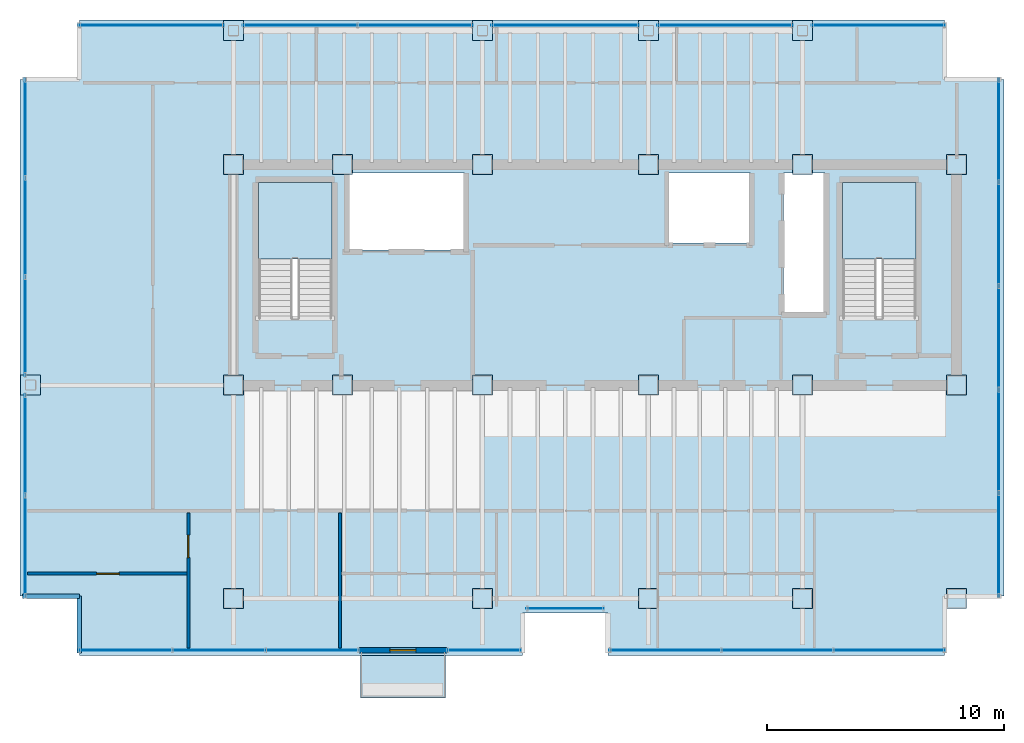
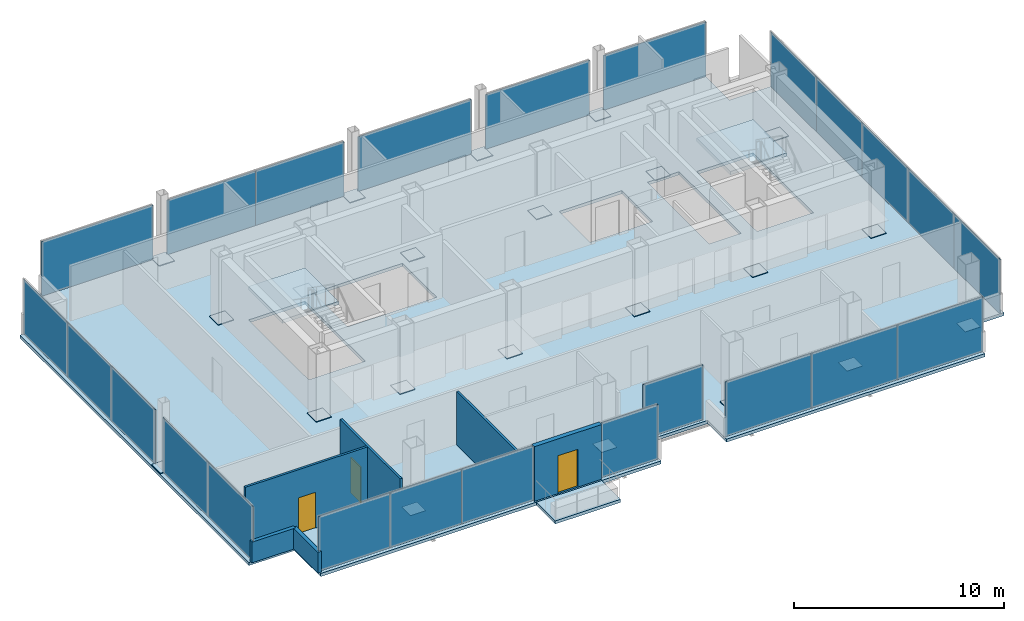
# One storey, part 13 of 16: 46 plates, 6 walls, 4 slabs, 3 doors, 8 openings, 14 elements without a shape of their own.
"""IFC4 building model written with IfcOpenShell, lengths in metres."""

from ifc_helpers import new_model, si_unit, direction, frame, frame_2d, origin, origin_2d, place, context, subcontext, project, spatial, polyline, rectangle, outline, extrude, material, layer, layer_set, type_object, element, fill, aggregate, save


model = new_model("IFC4")

# Units and contexts
model_context = context("Model", 3, precision=1e-05, world=origin(), true_north=direction((0.0, 1.0)))
body_context = subcontext(model_context, "Body", "Model", "MODEL_VIEW")
ifc_project = project(units=[si_unit("LENGTHUNIT", "METRE"), si_unit("AREAUNIT", "SQUARE_METRE"), si_unit("VOLUMEUNIT", "CUBIC_METRE"), si_unit("PLANEANGLEUNIT", "RADIAN"), si_unit("MASSUNIT", "GRAM", prefix="KILO")], contexts=[model_context])

# Site, building, storey
site_placement = place(None, origin())
site = spatial("IfcSite", under=ifc_project, at=site_placement, CompositionType="ELEMENT")
building_placement = place(site_placement, origin())
building = spatial("IfcBuilding", under=site, at=building_placement, Name="Noeulbin Bourse Tower", CompositionType="ELEMENT")
storey_placement = place(building_placement, frame((0.0, 0.0, 269.60009765625)))
storey = spatial("IfcBuildingStorey", under=building, at=storey_placement, Name="L67", CompositionType="ELEMENT", Elevation=269.60009765625)

# Curtain wall, plate
ifc_material_1 = material(Name="High-Selectivity Low-Iron Glazing", Category="glass")
curtain_wall_type = type_object("IfcCurtainWallType", Name="CW-SYS-4", PredefinedType="NOTDEFINED", material=ifc_material_1)
curtain_wall_1_placement = place(storey_placement, origin())
curtain_wall_1 = element("IfcCurtainWall", 1, at=curtain_wall_1_placement, inside=storey, type_object=curtain_wall_type, Name="Unitised Curtain Wall CW-L67-SREC", PredefinedType="NOTDEFINED")
ifc_layer_1 = layer(ifc_material_1, 0.035888671875)
ifc_layer_set_1 = layer_set([ifc_layer_1], Name="High-Selectivity Low-Iron Glazing")
plate_type_1 = type_object("IfcPlateType", Name="CW-SYS-4-PNL", PredefinedType="CURTAIN_PANEL", material=ifc_layer_set_1)
plate_1_placement = place(storey_placement, frame((27.5, 19.580078125, 0.0), z_axis=(0.0, 0.0, 1.0), x_axis=(1.0, 0.0, 0.0)))
plate_1 = element("IfcPlate", 2, at=plate_1_placement, type_object=plate_type_1, Name="Glazed Curtain Panel CW-L67-SREC-P00", PredefinedType="CURTAIN_PANEL", context=body_context, shape_type="SweptSolid", body=[
    extrude(rectangle(XDim=3.300048828125, YDim=0.035888671875, at=origin_2d()), origin(), (0.0, 0.0, 1.0), 3.179931640625),
])
aggregate(curtain_wall_1, [plate_1])

# Curtain wall, plates
curtain_wall_2_placement = place(storey_placement, origin())
curtain_wall_2 = element("IfcCurtainWall", 3, at=curtain_wall_2_placement, inside=storey, type_object=curtain_wall_type, Name="Unitised Curtain Wall CW-L67-S1", PredefinedType="NOTDEFINED")
plate_2_placement = place(storey_placement, frame((8.949951171875, 17.820068359375, 0.0), z_axis=(0.0, 0.0, 1.0), x_axis=(1.0, 0.0, 0.0)))
plate_2 = element("IfcPlate", 4, at=plate_2_placement, type_object=plate_type_1, Name="Glazed Curtain Panel CW-L67-S1-P00", PredefinedType="CURTAIN_PANEL", context=body_context, shape_type="SweptSolid", body=[
    extrude(rectangle(XDim=3.93994140625, YDim=0.035888671875, at=origin_2d()), origin(), (0.0, 0.0, 1.0), 3.179931640625),
])
plate_3_placement = place(storey_placement, frame((12.889892578125, 17.820068359375, 0.0), z_axis=(0.0, 0.0, 1.0), x_axis=(1.0, 0.0, 0.0)))
plate_3 = element("IfcPlate", 5, at=plate_3_placement, type_object=plate_type_1, Name="Glazed Curtain Panel CW-L67-S1-P01", PredefinedType="CURTAIN_PANEL", context=body_context, shape_type="SweptSolid", body=[
    extrude(rectangle(XDim=3.93994140625, YDim=0.035888671875, at=origin_2d()), origin(), (0.0, 0.0, 1.0), 3.179931640625),
])
plate_4_placement = place(storey_placement, frame((16.830078125, 17.820068359375, 0.0), z_axis=(0.0, 0.0, 1.0), x_axis=(1.0, 0.0, 0.0)))
plate_4 = element("IfcPlate", 6, at=plate_4_placement, type_object=plate_type_1, Name="Glazed Curtain Panel CW-L67-S1-P02", PredefinedType="CURTAIN_PANEL", context=body_context, shape_type="SweptSolid", body=[
    extrude(rectangle(XDim=3.93994140625, YDim=0.035888671875, at=origin_2d()), origin(), (0.0, 0.0, 1.0), 3.179931640625),
])
aggregate(curtain_wall_2, [plate_2, plate_3, plate_4])

# Curtain wall, plate
curtain_wall_3_placement = place(storey_placement, origin())
curtain_wall_3 = element("IfcCurtainWall", 7, at=curtain_wall_3_placement, inside=storey, type_object=curtain_wall_type, Name="Unitised Curtain Wall CW-L67-S2", PredefinedType="NOTDEFINED")
plate_5_placement = place(storey_placement, frame((24.074951171875, 17.820068359375, 0.0), z_axis=(0.0, 0.0, 1.0), x_axis=(1.0, 0.0, 0.0)))
plate_5 = element("IfcPlate", 8, at=plate_5_placement, type_object=plate_type_1, Name="Glazed Curtain Panel CW-L67-S2-P00", PredefinedType="CURTAIN_PANEL", context=body_context, shape_type="SweptSolid", body=[
    extrude(rectangle(XDim=3.14990234375, YDim=0.035888671875, at=origin_2d()), origin(), (0.0, 0.0, 1.0), 3.179931640625),
])
aggregate(curtain_wall_3, [plate_5])

# Curtain wall, plates
curtain_wall_4_placement = place(storey_placement, origin())
curtain_wall_4 = element("IfcCurtainWall", 9, at=curtain_wall_4_placement, inside=storey, type_object=curtain_wall_type, Name="Unitised Curtain Wall CW-L67-S3", PredefinedType="NOTDEFINED")
plate_6_placement = place(storey_placement, frame((31.711669921875, 17.820068359375, 0.0), z_axis=(0.0, 0.0, 1.0), x_axis=(1.0, 0.0, 0.0)))
plate_6 = element("IfcPlate", 10, at=plate_6_placement, type_object=plate_type_1, Name="Glazed Curtain Panel CW-L67-S3-P00", PredefinedType="CURTAIN_PANEL", context=body_context, shape_type="SweptSolid", body=[
    extrude(rectangle(XDim=4.723388671875, YDim=0.035888671875, at=origin_2d()), origin(), (0.0, 0.0, 1.0), 3.179931640625),
])
plate_7_placement = place(storey_placement, frame((36.43505859375, 17.820068359375, 0.0), z_axis=(0.0, 0.0, 1.0), x_axis=(1.0, 0.0, 0.0)))
plate_7 = element("IfcPlate", 11, at=plate_7_placement, type_object=plate_type_1, Name="Glazed Curtain Panel CW-L67-S3-P01", PredefinedType="CURTAIN_PANEL", context=body_context, shape_type="SweptSolid", body=[
    extrude(rectangle(XDim=4.723388671875, YDim=0.035888671875, at=origin_2d()), origin(), (0.0, 0.0, 1.0), 3.179931640625),
])
plate_8_placement = place(storey_placement, frame((41.158203125, 17.820068359375, 0.0), z_axis=(0.0, 0.0, 1.0), x_axis=(1.0, 0.0, 0.0)))
plate_8 = element("IfcPlate", 12, at=plate_8_placement, type_object=plate_type_1, Name="Glazed Curtain Panel CW-L67-S3-P02", PredefinedType="CURTAIN_PANEL", context=body_context, shape_type="SweptSolid", body=[
    extrude(rectangle(XDim=4.723388671875, YDim=0.035888671875, at=origin_2d()), origin(), (0.0, 0.0, 1.0), 3.179931640625),
])
aggregate(curtain_wall_4, [plate_6, plate_7, plate_8])

# Curtain wall, plate
curtain_wall_5_placement = place(storey_placement, origin())
curtain_wall_5 = element("IfcCurtainWall", 13, at=curtain_wall_5_placement, inside=storey, type_object=curtain_wall_type, Name="Unitised Curtain Wall CW-L67-N-S1", PredefinedType="NOTDEFINED")
plate_9_placement = place(storey_placement, frame((10.047607421875, 44.179931640625, 0.0), z_axis=(0.0, 0.0, 1.0), x_axis=(1.0, 0.0, 0.0)))
plate_9 = element("IfcPlate", 14, at=plate_9_placement, type_object=plate_type_1, Name="Glazed Curtain Panel CW-L67-N-S1-P00", PredefinedType="CURTAIN_PANEL", context=body_context, shape_type="SweptSolid", body=[
    extrude(rectangle(XDim=6.135009765625, YDim=0.035888671875, at=origin_2d()), origin(), (0.0, 0.0, 1.0), 3.179931640625),
])
aggregate(curtain_wall_5, [plate_9])

# Curtain wall, plates
curtain_wall_6_placement = place(storey_placement, origin())
curtain_wall_6 = element("IfcCurtainWall", 15, at=curtain_wall_6_placement, inside=storey, type_object=curtain_wall_type, Name="Unitised Curtain Wall CW-L67-N-S2", PredefinedType="NOTDEFINED")
plate_10_placement = place(storey_placement, frame((16.3173828125, 44.179931640625, 0.0), z_axis=(0.0, 0.0, 1.0), x_axis=(1.0, 0.0, 0.0)))
plate_10 = element("IfcPlate", 16, at=plate_10_placement, type_object=plate_type_1, Name="Glazed Curtain Panel CW-L67-N-S2-P00", PredefinedType="CURTAIN_PANEL", context=body_context, shape_type="SweptSolid", body=[
    extrude(rectangle(XDim=4.864990234375, YDim=0.035888671875, at=origin_2d()), origin(), (0.0, 0.0, 1.0), 3.179931640625),
])
plate_11_placement = place(storey_placement, frame((21.1826171875, 44.179931640625, 0.0), z_axis=(0.0, 0.0, 1.0), x_axis=(1.0, 0.0, 0.0)))
plate_11 = element("IfcPlate", 17, at=plate_11_placement, type_object=plate_type_1, Name="Glazed Curtain Panel CW-L67-N-S2-P01", PredefinedType="CURTAIN_PANEL", context=body_context, shape_type="SweptSolid", body=[
    extrude(rectangle(XDim=4.864990234375, YDim=0.035888671875, at=origin_2d()), origin(), (0.0, 0.0, 1.0), 3.179931640625),
])
aggregate(curtain_wall_6, [plate_10, plate_11])

# Curtain wall, plate
curtain_wall_7_placement = place(storey_placement, origin())
curtain_wall_7 = element("IfcCurtainWall", 18, at=curtain_wall_7_placement, inside=storey, type_object=curtain_wall_type, Name="Unitised Curtain Wall CW-L67-N-S3", PredefinedType="NOTDEFINED")
plate_12_placement = place(storey_placement, frame((27.5, 44.179931640625, 0.0), z_axis=(0.0, 0.0, 1.0), x_axis=(1.0, 0.0, 0.0)))
plate_12 = element("IfcPlate", 19, at=plate_12_placement, type_object=plate_type_1, Name="Glazed Curtain Panel CW-L67-N-S3-P00", PredefinedType="CURTAIN_PANEL", context=body_context, shape_type="SweptSolid", body=[
    extrude(rectangle(XDim=6.22998046875, YDim=0.035888671875, at=origin_2d()), origin(), (0.0, 0.0, 1.0), 3.179931640625),
])
aggregate(curtain_wall_7, [plate_12])

curtain_wall_8_placement = place(storey_placement, origin())
curtain_wall_8 = element("IfcCurtainWall", 20, at=curtain_wall_8_placement, inside=storey, type_object=curtain_wall_type, Name="Unitised Curtain Wall CW-L67-N-S4", PredefinedType="NOTDEFINED")
plate_13_placement = place(storey_placement, frame((34.25, 44.179931640625, 0.0), z_axis=(0.0, 0.0, 1.0), x_axis=(1.0, 0.0, 0.0)))
plate_13 = element("IfcPlate", 21, at=plate_13_placement, type_object=plate_type_1, Name="Glazed Curtain Panel CW-L67-N-S4-P00", PredefinedType="CURTAIN_PANEL", context=body_context, shape_type="SweptSolid", body=[
    extrude(rectangle(XDim=5.72998046875, YDim=0.035888671875, at=origin_2d()), origin(), (0.0, 0.0, 1.0), 3.179931640625),
])
aggregate(curtain_wall_8, [plate_13])

curtain_wall_9_placement = place(storey_placement, origin())
curtain_wall_9 = element("IfcCurtainWall", 22, at=curtain_wall_9_placement, inside=storey, type_object=curtain_wall_type, Name="Unitised Curtain Wall CW-L67-N-S5", PredefinedType="NOTDEFINED")
plate_14_placement = place(storey_placement, frame((40.702392578125, 44.179931640625, 0.0), z_axis=(0.0, 0.0, 1.0), x_axis=(1.0, 0.0, 0.0)))
plate_14 = element("IfcPlate", 23, at=plate_14_placement, type_object=plate_type_1, Name="Glazed Curtain Panel CW-L67-N-S5-P00", PredefinedType="CURTAIN_PANEL", context=body_context, shape_type="SweptSolid", body=[
    extrude(rectangle(XDim=5.635009765625, YDim=0.035888671875, at=origin_2d()), origin(), (0.0, 0.0, 1.0), 3.179931640625),
])
aggregate(curtain_wall_9, [plate_14])

# Curtain wall, plates
curtain_wall_10_placement = place(storey_placement, origin())
curtain_wall_10 = element("IfcCurtainWall", 24, at=curtain_wall_10_placement, inside=storey, type_object=curtain_wall_type, Name="Unitised Curtain Wall CW-L67-W-S1", PredefinedType="NOTDEFINED")
plate_15_placement = place(storey_placement, frame((4.719970703125, 22.213623046875, 0.0), z_axis=(0.0, 0.0, 1.0), x_axis=(0.0, 1.0, 0.0)))
plate_15 = element("IfcPlate", 25, at=plate_15_placement, type_object=plate_type_1, Name="Glazed Curtain Panel CW-L67-W-S1-P00", PredefinedType="CURTAIN_PANEL", context=body_context, shape_type="SweptSolid", body=[
    extrude(rectangle(XDim=4.267578125, YDim=0.035888671875, at=origin_2d()), origin(), (0.0, 0.0, 1.0), 3.179931640625),
])
plate_16_placement = place(storey_placement, frame((4.719970703125, 26.481201171875, 0.0), z_axis=(0.0, 0.0, 1.0), x_axis=(0.0, 1.0, 0.0)))
plate_16 = element("IfcPlate", 26, at=plate_16_placement, type_object=plate_type_1, Name="Glazed Curtain Panel CW-L67-W-S1-P01", PredefinedType="CURTAIN_PANEL", context=body_context, shape_type="SweptSolid", body=[
    extrude(rectangle(XDim=4.267578125, YDim=0.035888671875, at=origin_2d()), origin(), (0.0, 0.0, 1.0), 3.179931640625),
])
aggregate(curtain_wall_10, [plate_15, plate_16])

curtain_wall_11_placement = place(storey_placement, origin())
curtain_wall_11 = element("IfcCurtainWall", 27, at=curtain_wall_11_placement, inside=storey, type_object=curtain_wall_type, Name="Unitised Curtain Wall CW-L67-W-S2", PredefinedType="NOTDEFINED")
plate_17_placement = place(storey_placement, frame((4.719970703125, 31.47412109375, 0.0), z_axis=(0.0, 0.0, 1.0), x_axis=(0.0, 1.0, 0.0)))
plate_17 = element("IfcPlate", 28, at=plate_17_placement, type_object=plate_type_1, Name="Glazed Curtain Panel CW-L67-W-S2-P00", PredefinedType="CURTAIN_PANEL", context=body_context, shape_type="SweptSolid", body=[
    extrude(rectangle(XDim=4.17822265625, YDim=0.035888671875, at=origin_2d()), origin(), (0.0, 0.0, 1.0), 3.179931640625),
])
plate_18_placement = place(storey_placement, frame((4.719970703125, 35.652587890625, 0.0), z_axis=(0.0, 0.0, 1.0), x_axis=(0.0, 1.0, 0.0)))
plate_18 = element("IfcPlate", 29, at=plate_18_placement, type_object=plate_type_1, Name="Glazed Curtain Panel CW-L67-W-S2-P01", PredefinedType="CURTAIN_PANEL", context=body_context, shape_type="SweptSolid", body=[
    extrude(rectangle(XDim=4.17822265625, YDim=0.035888671875, at=origin_2d()), origin(), (0.0, 0.0, 1.0), 3.179931640625),
])
plate_19_placement = place(storey_placement, frame((4.719970703125, 39.830810546875, 0.0), z_axis=(0.0, 0.0, 1.0), x_axis=(0.0, 1.0, 0.0)))
plate_19 = element("IfcPlate", 30, at=plate_19_placement, type_object=plate_type_1, Name="Glazed Curtain Panel CW-L67-W-S2-P02", PredefinedType="CURTAIN_PANEL", context=body_context, shape_type="SweptSolid", body=[
    extrude(rectangle(XDim=4.17822265625, YDim=0.035888671875, at=origin_2d()), origin(), (0.0, 0.0, 1.0), 3.179931640625),
])
aggregate(curtain_wall_11, [plate_17, plate_18, plate_19])

curtain_wall_12_placement = place(storey_placement, origin())
curtain_wall_12 = element("IfcCurtainWall", 31, at=curtain_wall_12_placement, inside=storey, type_object=curtain_wall_type, Name="Unitised Curtain Wall CW-L67-E", PredefinedType="NOTDEFINED")
plate_20_placement = place(storey_placement, frame((45.780029296875, 22.263916015625, 0.0), z_axis=(0.0, 0.0, 1.0), x_axis=(0.0, 1.0, 0.0)))
plate_20 = element("IfcPlate", 32, at=plate_20_placement, type_object=plate_type_1, Name="Glazed Curtain Panel CW-L67-E-P00", PredefinedType="CURTAIN_PANEL", context=body_context, shape_type="SweptSolid", body=[
    extrude(rectangle(XDim=4.367919921875, YDim=0.035888671875, at=origin_2d()), origin(), (0.0, 0.0, 1.0), 3.179931640625),
])
plate_21_placement = place(storey_placement, frame((45.780029296875, 26.632080078125, 0.0), z_axis=(0.0, 0.0, 1.0), x_axis=(0.0, 1.0, 0.0)))
plate_21 = element("IfcPlate", 33, at=plate_21_placement, type_object=plate_type_1, Name="Glazed Curtain Panel CW-L67-E-P01", PredefinedType="CURTAIN_PANEL", context=body_context, shape_type="SweptSolid", body=[
    extrude(rectangle(XDim=4.367919921875, YDim=0.035888671875, at=origin_2d()), origin(), (0.0, 0.0, 1.0), 3.179931640625),
])
plate_22_placement = place(storey_placement, frame((45.780029296875, 31.0, 0.0), z_axis=(0.0, 0.0, 1.0), x_axis=(0.0, 1.0, 0.0)))
plate_22 = element("IfcPlate", 34, at=plate_22_placement, type_object=plate_type_1, Name="Glazed Curtain Panel CW-L67-E-P02", PredefinedType="CURTAIN_PANEL", context=body_context, shape_type="SweptSolid", body=[
    extrude(rectangle(XDim=4.367919921875, YDim=0.035888671875, at=origin_2d()), origin(), (0.0, 0.0, 1.0), 3.179931640625),
])
plate_23_placement = place(storey_placement, frame((45.780029296875, 35.367919921875, 0.0), z_axis=(0.0, 0.0, 1.0), x_axis=(0.0, 1.0, 0.0)))
plate_23 = element("IfcPlate", 35, at=plate_23_placement, type_object=plate_type_1, Name="Glazed Curtain Panel CW-L67-E-P03", PredefinedType="CURTAIN_PANEL", context=body_context, shape_type="SweptSolid", body=[
    extrude(rectangle(XDim=4.367919921875, YDim=0.035888671875, at=origin_2d()), origin(), (0.0, 0.0, 1.0), 3.179931640625),
])
plate_24_placement = place(storey_placement, frame((45.780029296875, 39.736083984375, 0.0), z_axis=(0.0, 0.0, 1.0), x_axis=(0.0, 1.0, 0.0)))
plate_24 = element("IfcPlate", 36, at=plate_24_placement, type_object=plate_type_1, Name="Glazed Curtain Panel CW-L67-E-P04", PredefinedType="CURTAIN_PANEL", context=body_context, shape_type="SweptSolid", body=[
    extrude(rectangle(XDim=4.367919921875, YDim=0.035888671875, at=origin_2d()), origin(), (0.0, 0.0, 1.0), 3.179931640625),
])
aggregate(curtain_wall_12, [plate_20, plate_21, plate_22, plate_23, plate_24])

# Plates
ifc_material_2 = material(Name="Steel S355", Category="steel")
ifc_layer_2 = layer(ifc_material_2, 0.030029296875)
ifc_layer_set_2 = layer_set([ifc_layer_2], Name="Steel S355")
plate_type_2 = type_object("IfcPlateType", Name="PLT-BN1", PredefinedType="USERDEFINED", material=ifc_layer_set_2)
for number, where, z_axis, x_axis, name in (
    (37, (13.5, 29.0, 0.0048828125), (0.0, 0.0, 1.0), (1.0, 0.0, 0.0), "Mega-Column Splice Plate BN1-L67-01"),
    (38, (13.5, 38.300048828125, 0.0048828125), (0.0, 0.0, 1.0), (1.0, 0.0, 0.0), "Mega-Column Splice Plate BN1-L67-02"),
    (39, (18.10009765625, 29.0, 0.0048828125), (0.0, 0.0, 1.0), (1.0, 0.0, 0.0), "Mega-Column Splice Plate BN1-L67-03"),
    (40, (18.10009765625, 38.300048828125, 0.0048828125), (0.0, 0.0, 1.0), (1.0, 0.0, 0.0), "Mega-Column Splice Plate BN1-L67-04"),
    (41, (24.0, 29.0, 0.0048828125), (0.0, 0.0, 1.0), (1.0, 0.0, 0.0), "Mega-Column Splice Plate BN1-L67-05"),
    (42, (24.0, 38.300048828125, 0.0048828125), (0.0, 0.0, 1.0), (1.0, 0.0, 0.0), "Mega-Column Splice Plate BN1-L67-06"),
    (43, (31.0, 29.0, 0.0048828125), (0.0, 0.0, 1.0), (1.0, 0.0, 0.0), "Mega-Column Splice Plate BN1-L67-07"),
    (44, (31.0, 38.300048828125, 0.0048828125), (0.0, 0.0, 1.0), (1.0, 0.0, 0.0), "Mega-Column Splice Plate BN1-L67-08"),
    (45, (37.5, 29.0, 0.0048828125), (0.0, 0.0, 1.0), (1.0, 0.0, 0.0), "Mega-Column Splice Plate BN1-L67-09"),
    (46, (37.5, 38.300048828125, 0.0048828125), (0.0, 0.0, 1.0), (1.0, 0.0, 0.0), "Mega-Column Splice Plate BN1-L67-10"),
    (47, (44.0, 29.0, 0.0048828125), (0.0, 0.0, 1.0), (1.0, 0.0, 0.0), "Mega-Column Splice Plate BN1-L67-11"),
    (48, (44.0, 38.300048828125, 0.0048828125), (0.0, 0.0, 1.0), (1.0, 0.0, 0.0), "Mega-Column Splice Plate BN1-L67-12"),
    (49, (13.5, 20.0, 0.0048828125), (0.0, 0.0, 1.0), (1.0, 0.0, 0.0), "Mega-Column Splice Plate BN1-L67-13"),
    (50, (24.0, 20.0, 0.0048828125), (0.0, 0.0, 1.0), (1.0, 0.0, 0.0), "Mega-Column Splice Plate BN1-L67-14"),
    (51, (31.0, 20.0, 0.0048828125), (0.0, 0.0, 1.0), (1.0, 0.0, 0.0), "Mega-Column Splice Plate BN1-L67-15"),
    (52, (37.5, 20.0, 0.0048828125), (0.0, 0.0, 1.0), (1.0, 0.0, 0.0), "Mega-Column Splice Plate BN1-L67-16"),
    (53, (44.0, 20.0, 0.0048828125), (0.0, 0.0, 1.0), (1.0, 0.0, 0.0), "Mega-Column Splice Plate BN1-L67-17"),
    (54, (4.949951171875, 29.0, 0.0048828125), (0.0, 0.0, 1.0), (1.0, 0.0, 0.0), "Perimeter Column Splice Plate BN1-L67-01"),
    (55, (13.5, 43.949951171875, 0.0048828125), (0.0, 0.0, 1.0), (1.0, 0.0, 0.0), "Perimeter Column Splice Plate BN1-L67-02"),
    (56, (24.0, 43.949951171875, 0.0048828125), (0.0, 0.0, 1.0), (1.0, 0.0, 0.0), "Perimeter Column Splice Plate BN1-L67-03"),
    (57, (31.0, 43.949951171875, 0.0048828125), (0.0, 0.0, 1.0), (1.0, 0.0, 0.0), "Perimeter Column Splice Plate BN1-L67-04"),
    (58, (37.5, 43.949951171875, 0.0048828125), (0.0, 0.0, 1.0), (1.0, 0.0, 0.0), "Perimeter Column Splice Plate BN1-L67-05"),
):
    element("IfcPlate", number, at=place(storey_placement, frame(where, z_axis=z_axis, x_axis=x_axis)), inside=storey, type_object=plate_type_2, Name=name, ObjectType="SPLICE PLATE", PredefinedType="USERDEFINED", context=body_context, shape_type="SweptSolid", body=[
        extrude(rectangle(XDim=0.85009765625, YDim=0.85009765625, at=origin_2d()), origin(), (0.0, 0.0, 1.0), 0.030029296875),
    ])

# Stair, slab
ifc_material_3 = material(Name="Concrete C40/50", Category="concrete")
stair_type = type_object("IfcStairType", Name="STR-CORE-1560", PredefinedType="HALF_TURN_STAIR", material=ifc_material_3)
stair_1_placement = place(storey_placement, origin())
stair_1 = element("IfcStair", 59, at=stair_1_placement, inside=storey, type_object=stair_type, Name="L67 ST-1", PredefinedType="HALF_TURN_STAIR")
ifc_layer_3 = layer(ifc_material_3, 0.199951171875)
ifc_layer_set_3 = layer_set([ifc_layer_3], Name="Concrete C40/50")
slab_type_1 = type_object("IfcSlabType", Name="SLB-LND-200", PredefinedType="LANDING", material=ifc_layer_set_3)
slab_1_placement = place(storey_placement, frame((0.0, 0.0, 1.75)))
slab_1 = element("IfcSlab", 60, at=slab_1_placement, type_object=slab_type_1, Name="ST-1 landing 1", PredefinedType="LANDING", context=body_context, shape_type="SweptSolid", body=[
    extrude(outline(polyline([(17.64990234375, 34.330078125), (17.64990234375, 37.5439453125), (14.550048828125, 37.5439453125), (14.550048828125, 34.330078125), (17.64990234375, 34.330078125)])), origin(), (0.0, 0.0, 1.0), 0.199951171875),
])
aggregate(stair_1, [slab_1])

stair_2_placement = place(storey_placement, origin())
stair_2 = element("IfcStair", 61, at=stair_2_placement, inside=storey, type_object=stair_type, Name="L67 ST-2", PredefinedType="HALF_TURN_STAIR")
slab_2_placement = place(storey_placement, frame((0.0, 0.0, 1.75)))
slab_2 = element("IfcSlab", 62, at=slab_2_placement, type_object=slab_type_1, Name="ST-2 landing 1", PredefinedType="LANDING", context=body_context, shape_type="SweptSolid", body=[
    extrude(outline(polyline([(42.280029296875, 34.330078125), (42.280029296875, 37.5439453125), (39.179931640625, 37.5439453125), (39.179931640625, 34.330078125), (42.280029296875, 34.330078125)])), origin(), (0.0, 0.0, 1.0), 0.199951171875),
])
aggregate(stair_2, [slab_2])

# Slab, openings
ifc_layer_4 = layer(ifc_material_3, 0.179931640625)
ifc_layer_set_4 = layer_set([ifc_layer_4], Name="Concrete C40/50")
slab_type_2 = type_object("IfcSlabType", Name="SLB-TYP-180", PredefinedType="FLOOR", material=ifc_layer_set_4)
slab_3_placement = place(storey_placement, frame((0.0, 0.0, -0.18017578125)))
slab_3 = element("IfcSlab", 63, at=slab_3_placement, inside=storey, type_object=slab_type_2, Name="Tower Structural Floor Slab L67", PredefinedType="FLOOR", context=body_context, shape_type="SweptSolid", body=[
    extrude(outline(polyline([(7.0, 17.60009765625), (25.699951171875, 17.60009765625), (25.699951171875, 19.39990234375), (29.300048828125, 19.39990234375), (29.300048828125, 17.60009765625), (43.5, 17.60009765625), (43.5, 20.10009765625), (46.0, 20.10009765625), (46.0, 41.89990234375), (43.5, 41.89990234375), (43.5, 44.39990234375), (7.0, 44.39990234375), (7.0, 41.89990234375), (4.5, 41.89990234375), (4.5, 20.10009765625), (7.0, 20.10009765625), (7.0, 17.60009765625)]), holes=[polyline([(17.64990234375, 31.81005859375), (17.64990234375, 37.5439453125), (14.550048828125, 37.5439453125), (14.550048828125, 31.81005859375), (17.64990234375, 31.81005859375)]), polyline([(42.280029296875, 31.81005859375), (42.280029296875, 37.5439453125), (39.179931640625, 37.5439453125), (39.179931640625, 31.81005859375), (42.280029296875, 31.81005859375)]), polyline([(18.35009765625, 34.699951171875), (23.25, 34.699951171875), (23.25, 37.949951171875), (18.35009765625, 37.949951171875), (18.35009765625, 34.699951171875)]), polyline([(36.699951171875, 32.050048828125), (38.449951171875, 32.050048828125), (38.449951171875, 37.949951171875), (36.699951171875, 37.949951171875), (36.699951171875, 32.050048828125)]), polyline([(31.85009765625, 35.0), (35.300048828125, 35.0), (35.300048828125, 37.949951171875), (31.85009765625, 37.949951171875), (31.85009765625, 35.0)])]), origin(), (0.0, 0.0, 1.0), 0.18017578125),
])
opening_1_placement = place(slab_3_placement, frame((0.0, 0.0, -0.010009765625)))
element("IfcOpeningElement", 64, at=opening_1_placement, cuts=slab_3, Name="Slab Shaft Opening SLB-L67-TWR-1", PredefinedType="OPENING", context=body_context, shape_type="SweptSolid", body=[
    extrude(outline(polyline([(17.64990234375, 31.81005859375), (17.64990234375, 37.5439453125), (14.550048828125, 37.5439453125), (14.550048828125, 31.81005859375), (17.64990234375, 31.81005859375)])), origin(), (0.0, 0.0, 1.0), 0.2001953125),
])
opening_2_placement = place(slab_3_placement, frame((0.0, 0.0, -0.010009765625)))
element("IfcOpeningElement", 65, at=opening_2_placement, cuts=slab_3, Name="Slab Shaft Opening SLB-L67-TWR-2", PredefinedType="OPENING", context=body_context, shape_type="SweptSolid", body=[
    extrude(outline(polyline([(42.280029296875, 31.81005859375), (42.280029296875, 37.5439453125), (39.179931640625, 37.5439453125), (39.179931640625, 31.81005859375), (42.280029296875, 31.81005859375)])), origin(), (0.0, 0.0, 1.0), 0.2001953125),
])
opening_3_placement = place(slab_3_placement, frame((0.0, 0.0, -0.010009765625)))
element("IfcOpeningElement", 66, at=opening_3_placement, cuts=slab_3, Name="Slab Shaft Opening SLB-L67-TWR-3", PredefinedType="OPENING", context=body_context, shape_type="SweptSolid", body=[
    extrude(outline(polyline([(18.35009765625, 34.699951171875), (23.25, 34.699951171875), (23.25, 37.949951171875), (18.35009765625, 37.949951171875), (18.35009765625, 34.699951171875)])), origin(), (0.0, 0.0, 1.0), 0.2001953125),
])
opening_4_placement = place(slab_3_placement, frame((0.0, 0.0, -0.010009765625)))
element("IfcOpeningElement", 67, at=opening_4_placement, cuts=slab_3, Name="Slab Shaft Opening SLB-L67-TWR-4", PredefinedType="OPENING", context=body_context, shape_type="SweptSolid", body=[
    extrude(outline(polyline([(36.699951171875, 32.050048828125), (38.449951171875, 32.050048828125), (38.449951171875, 37.949951171875), (36.699951171875, 37.949951171875), (36.699951171875, 32.050048828125)])), origin(), (0.0, 0.0, 1.0), 0.2001953125),
])
opening_5_placement = place(slab_3_placement, frame((0.0, 0.0, -0.010009765625)))
element("IfcOpeningElement", 68, at=opening_5_placement, cuts=slab_3, Name="Slab Shaft Opening SLB-L67-TWR-5", PredefinedType="OPENING", context=body_context, shape_type="SweptSolid", body=[
    extrude(outline(polyline([(31.85009765625, 35.0), (35.300048828125, 35.0), (35.300048828125, 37.949951171875), (31.85009765625, 37.949951171875), (31.85009765625, 35.0)])), origin(), (0.0, 0.0, 1.0), 0.2001953125),
])

# Slab
slab_4_placement = place(storey_placement, frame((0.0, 0.0, -0.18017578125)))
element("IfcSlab", 69, at=slab_4_placement, inside=storey, type_object=slab_type_2, Name="Cantilevered Tree-Balcony Slab L67", PredefinedType="FLOOR", context=body_context, shape_type="SweptSolid", body=[
    extrude(outline(polyline([(18.85009765625, 15.800048828125), (22.449951171875, 15.800048828125), (22.449951171875, 17.60009765625), (18.85009765625, 17.60009765625), (18.85009765625, 15.800048828125)])), origin(), (0.0, 0.0, 1.0), 0.18017578125),
])

# Wall, opening, door
ifc_material_4 = material(Name="Precast Concrete C40/50", Category="concrete")
ifc_layer_5 = layer(ifc_material_4, 0.25)
ifc_layer_set_5 = layer_set([ifc_layer_5], Name="Precast Concrete C40/50")
wall_type_1 = type_object("IfcWallType", Name="WAL-EXT-250", PredefinedType="STANDARD", material=ifc_layer_set_5)
wall_1_placement = place(storey_placement, frame((18.800048828125, 17.820068359375, 0.0), z_axis=(0.0, 0.0, 1.0), x_axis=(1.0, 0.0, 0.0)))
wall_1 = element("IfcWall", 70, at=wall_1_placement, inside=storey, type_object=wall_type_1, Name="Balcony Threshold Wall L67", PredefinedType="STANDARD", context=body_context, shape_type="SweptSolid", body=[
    extrude(rectangle(XDim=3.699951171875, YDim=0.25, at=frame_2d((1.85009765625, 0.0))), origin(), (0.0, 0.0, 1.0), 3.179931640625),
])
opening_6_placement = place(wall_1_placement, frame((1.300048828125, 0.0, 0.0)))
opening_6 = element("IfcOpeningElement", 71, at=opening_6_placement, cuts=wall_1, Name="Opening BD-11", PredefinedType="OPENING", context=body_context, shape_type="SweptSolid", body=[
    extrude(rectangle(XDim=1.10009765625, YDim=2.199951171875, at=frame_2d((0.550048828125, 1.10009765625))), frame((0.0, 0.135009765625, 0.0), z_axis=(0.0, -1.0, 0.0), x_axis=(1.0, 0.0, 0.0)), (0.0, 0.0, 1.0), 0.27001953125),
])
ifc_material_5 = material(Name="Thermally Broken Aluminium Framed Glass", Category="aluminium")
door_type_1 = type_object("IfcDoorType", Name="DR-BAL-1100", OperationType="SINGLE_SWING_LEFT", PredefinedType="DOOR", material=ifc_material_5)
door_1_placement = place(opening_6_placement, origin())
door_1 = element("IfcDoor", 72, at=door_1_placement, inside=storey, type_object=door_type_1, Name="Tree-Balcony Access Door BD-L67", OperationType="SINGLE_SWING_LEFT", OverallHeight=2.199951171875, OverallWidth=1.10009765625, PredefinedType="DOOR", context=body_context, shape_type="SweptSolid", body=[
    extrude(rectangle(XDim=1.10009765625, YDim=2.199951171875, at=frame_2d((0.550048828125, 1.10009765625))), frame((0.0, 0.02490234375, 0.0), z_axis=(0.0, -1.0, 0.0), x_axis=(1.0, 0.0, 0.0)), (0.0, 0.0, 1.0), 0.050048828125),
])
fill(opening_6, door_1)

# Walls
ifc_layer_6 = layer(ifc_material_3, 0.199951171875)
ifc_layer_set_6 = layer_set([ifc_layer_6], Name="Concrete C40/50")
wall_type_2 = type_object("IfcWallType", Name="WAL-PAR-200", PredefinedType="PARAPET", material=ifc_layer_set_6)
wall_2_placement = place(storey_placement, frame((4.60009765625, 20.10009765625, 0.0), z_axis=(0.0, 0.0, 1.0), x_axis=(1.0, 0.0, 0.0)))
element("IfcWall", 73, at=wall_2_placement, inside=storey, type_object=wall_type_2, Name="Corner Notch Parapet L67-SW1", PredefinedType="PARAPET", context=body_context, shape_type="SweptSolid", body=[
    extrude(rectangle(XDim=2.39990234375, YDim=0.199951171875, at=frame_2d((1.199951171875, 0.0))), origin(), (0.0, 0.0, 1.0), 1.199951171875),
])
wall_3_placement = place(storey_placement, frame((7.0, 20.10009765625, 0.0), z_axis=(0.0, 0.0, 1.0), x_axis=(0.0, -1.0, 0.0)))
element("IfcWall", 74, at=wall_3_placement, inside=storey, type_object=wall_type_2, Name="Corner Notch Parapet L67-SW2", PredefinedType="PARAPET", context=body_context, shape_type="SweptSolid", body=[
    extrude(rectangle(XDim=2.400146484375, YDim=0.199951171875, at=frame_2d((1.2001953125, 0.0))), origin(), (0.0, 0.0, 1.0), 1.199951171875),
])

# Wall, opening, door
ifc_material_6 = material(Name="Steel Stud Gypsum Partition", Category="steel")
ifc_layer_7 = layer(ifc_material_6, 0.1201171875)
ifc_layer_set_7 = layer_set([ifc_layer_7], Name="Steel Stud Gypsum Partition")
wall_type_3 = type_object("IfcWallType", Name="WAL-PRT-120", PredefinedType="PARTITIONING", material=ifc_layer_set_7)
wall_4_placement = place(storey_placement, frame((4.81005859375, 21.050048828125, 0.0), z_axis=(0.0, 0.0, 1.0), x_axis=(1.0, 0.0, 0.0)))
wall_4 = element("IfcWall", 75, at=wall_4_placement, inside=storey, type_object=wall_type_3, Name="Interior Partition Wall L67-05", PredefinedType="PARTITIONING", context=body_context, shape_type="SweptSolid", body=[
    extrude(rectangle(XDim=6.7900390625, YDim=0.1201171875, at=frame_2d((3.39501953125, 0.0))), origin(), (0.0, 0.0, 1.0), 3.719970703125),
])
opening_7_placement = place(wall_4_placement, frame((2.919921875, 0.0, 0.0)))
opening_7 = element("IfcOpeningElement", 76, at=opening_7_placement, cuts=wall_4, Name="Opening ID-09", PredefinedType="OPENING", context=body_context, shape_type="SweptSolid", body=[
    extrude(rectangle(XDim=0.949951171875, YDim=2.080078125, at=frame_2d((0.47509765625, 1.0400390625))), frame((0.0, 0.070068359375, 0.0), z_axis=(0.0, -1.0, 0.0), x_axis=(1.0, 0.0, 0.0)), (0.0, 0.0, 1.0), 0.14013671875),
])
ifc_material_7 = material(Name="Acoustic Solid-Core Timber", Category="wood")
door_type_2 = type_object("IfcDoorType", Name="DR-SINGLE-950", OperationType="SINGLE_SWING_LEFT", PredefinedType="DOOR", material=ifc_material_7)
door_2_placement = place(opening_7_placement, origin())
door_2 = element("IfcDoor", 77, at=door_2_placement, inside=storey, type_object=door_type_2, Name="Interior Door L67-08", OperationType="SINGLE_SWING_RIGHT", OverallHeight=2.080078125, OverallWidth=0.949951171875, PredefinedType="DOOR", context=body_context, shape_type="SweptSolid", body=[
    extrude(rectangle(XDim=0.949951171875, YDim=2.080078125, at=frame_2d((0.47509765625, 1.0400390625))), frame((0.0, 0.02490234375, 0.0), z_axis=(0.0, -1.0, 0.0), x_axis=(1.0, 0.0, 0.0)), (0.0, 0.0, 1.0), 0.050048828125),
])
fill(opening_7, door_2)

wall_5_placement = place(storey_placement, frame((11.60009765625, 17.909912109375, 0.0), z_axis=(0.0, 0.0, 1.0), x_axis=(0.0, 1.0, 0.0)))
wall_5 = element("IfcWall", 78, at=wall_5_placement, inside=storey, type_object=wall_type_3, Name="Interior Partition Wall L67-16", PredefinedType="PARTITIONING", context=body_context, shape_type="SweptSolid", body=[
    extrude(rectangle(XDim=5.705078125, YDim=0.1201171875, at=frame_2d((2.8525390625, 0.0))), origin(), (0.0, 0.0, 1.0), 3.719970703125),
])
opening_8_placement = place(wall_5_placement, frame((3.81494140625, 0.0, 0.0)))
opening_8 = element("IfcOpeningElement", 79, at=opening_8_placement, cuts=wall_5, Name="Opening ID-09", PredefinedType="OPENING", context=body_context, shape_type="SweptSolid", body=[
    extrude(rectangle(XDim=0.949951171875, YDim=2.080078125, at=frame_2d((0.47509765625, 1.0400390625))), frame((0.0, 0.070068359375, 0.0), z_axis=(0.0, -1.0, 0.0), x_axis=(1.0, 0.0, 0.0)), (0.0, 0.0, 1.0), 0.14013671875),
])
door_3_placement = place(opening_8_placement, origin())
door_3 = element("IfcDoor", 80, at=door_3_placement, inside=storey, type_object=door_type_2, Name="Interior Door L67-09", OperationType="SINGLE_SWING_LEFT", OverallHeight=2.080078125, OverallWidth=0.949951171875, PredefinedType="DOOR", context=body_context, shape_type="SweptSolid", body=[
    extrude(rectangle(XDim=0.949951171875, YDim=2.080078125, at=frame_2d((0.47509765625, 1.0400390625))), frame((0.0, 0.02490234375, 0.0), z_axis=(0.0, -1.0, 0.0), x_axis=(1.0, 0.0, 0.0)), (0.0, 0.0, 1.0), 0.050048828125),
])
fill(opening_8, door_3)

# Wall
wall_6_placement = place(storey_placement, frame((18.0, 17.909912109375, 0.0), z_axis=(0.0, 0.0, 1.0), x_axis=(0.0, 1.0, 0.0)))
element("IfcWall", 81, at=wall_6_placement, inside=storey, type_object=wall_type_3, Name="Interior Partition Wall L67-17", PredefinedType="PARTITIONING", context=body_context, shape_type="SweptSolid", body=[
    extrude(rectangle(XDim=5.705078125, YDim=0.1201171875, at=frame_2d((2.8525390625, 0.0))), origin(), (0.0, 0.0, 1.0), 3.099853515625),
])

save(model, "model.ifc")
